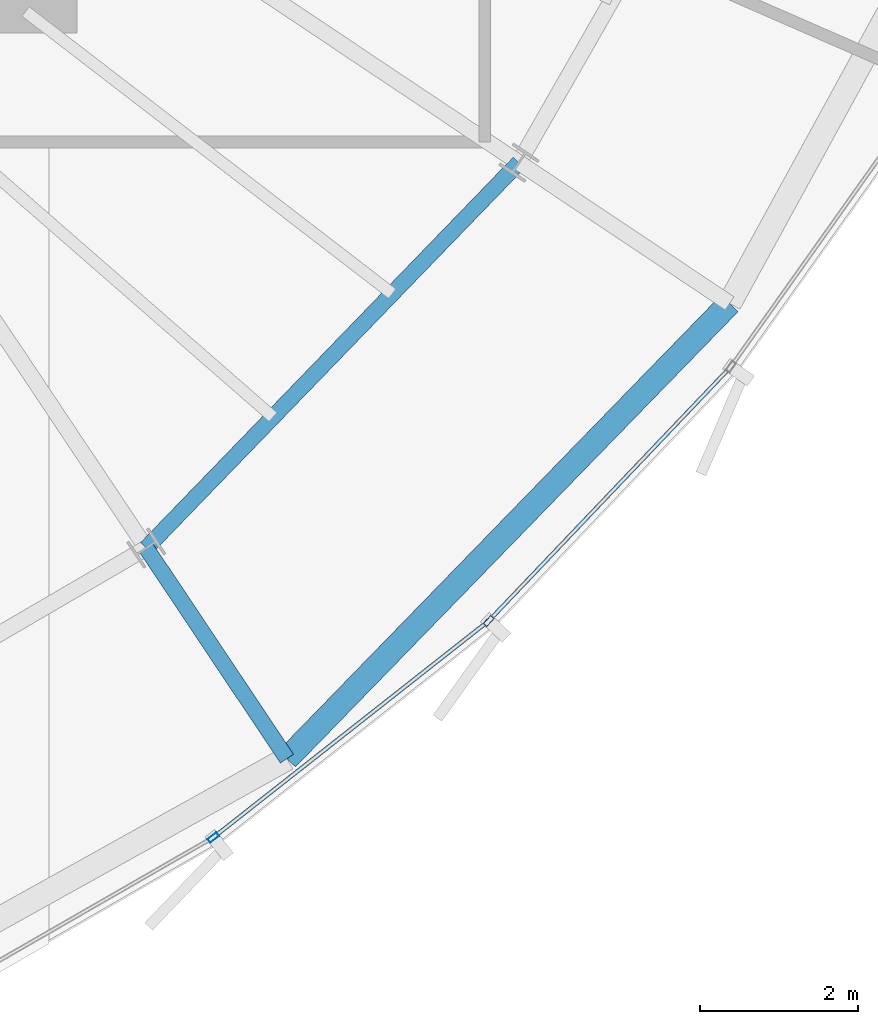
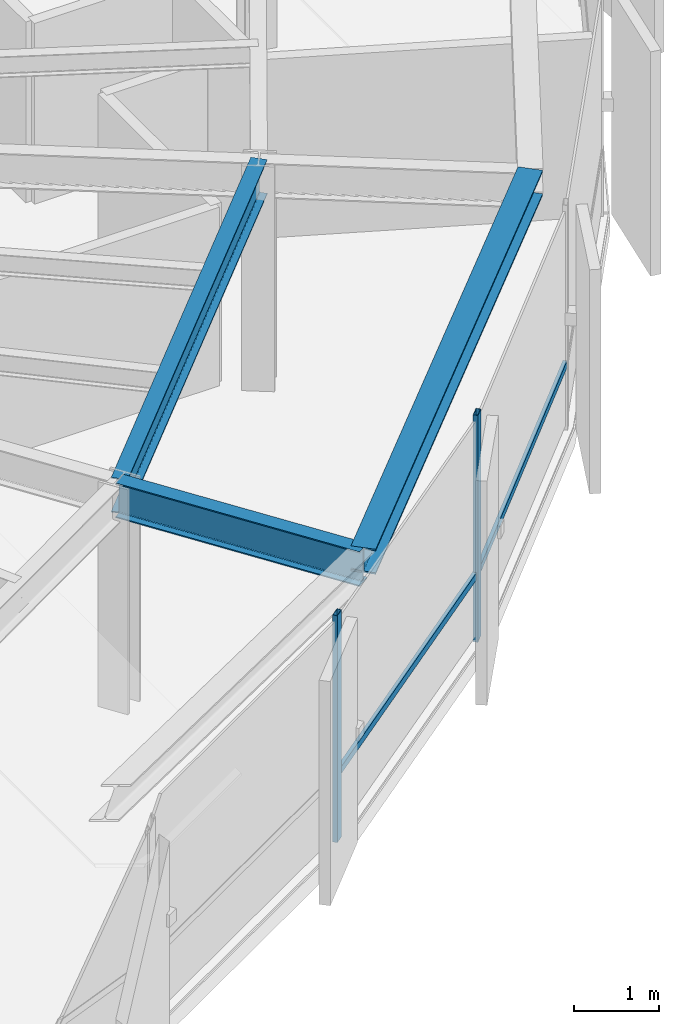
# One storey, part 12 of 35: 4 members, 3 beams, 1 element without a shape of its own.
"""IFC4 building model written with IfcOpenShell, lengths in metres."""

from ifc_helpers import new_model, si_unit, direction, frame, origin, origin_2d, place, context, subcontext, project, spatial, hollow_rectangle, i_section, extrude, source, transform, mapped, material, layer, layer_set, material_profile, profile_set, type_object, element, aggregate, save


model = new_model("IFC4")

# Units and contexts
model_context = context("Model", 3, precision=1e-05, world=origin(), true_north=direction((0.0, 1.0)))
body_context = subcontext(model_context, "Body", "Model", "MODEL_VIEW")
ifc_project = project(units=[si_unit("LENGTHUNIT", "METRE"), si_unit("AREAUNIT", "SQUARE_METRE"), si_unit("VOLUMEUNIT", "CUBIC_METRE"), si_unit("PLANEANGLEUNIT", "RADIAN"), si_unit("MASSUNIT", "GRAM", prefix="KILO"), si_unit("THERMODYNAMICTEMPERATUREUNIT", "KELVIN")], contexts=[model_context])

# Site, building, storey
site_placement = place(None, origin())
site = spatial("IfcSite", under=ifc_project, at=site_placement, CompositionType="ELEMENT")
building_placement = place(site_placement, origin())
building = spatial("IfcBuilding", under=site, at=building_placement, Name="Kethvar Cultural Tower", CompositionType="ELEMENT")
storey_placement = place(building_placement, frame((0.0, 0.0, 204.39990234375)))
storey = spatial("IfcBuildingStorey", under=building, at=storey_placement, Name="L53", CompositionType="ELEMENT", Elevation=204.39990234375)

# Beams
ifc_material_1 = material(Name="Steel S355J2", Category="steel")
ifc_material_profile_1 = material_profile(ifc_material_1, i_section(OverallWidth=0.199951171875, OverallDepth=0.5, WebThickness=0.01025390625, FlangeThickness=0.01611328125, FilletRadius=0.02099609375, at=origin_2d()), Name="Steel S355J2 — IPE500")
ifc_profile_set_1 = profile_set([ifc_material_profile_1], Name="Steel S355J2 — IPE500")
beam_type_1 = type_object("IfcBeamType", Name="BM-IPE500", PredefinedType="BEAM", material=ifc_profile_set_1)
shared_shape_1 = source(origin(), body_context, "Body", "SweptSolid", [
    extrude(i_section(OverallWidth=0.199951171875, OverallDepth=0.5, WebThickness=0.01025390625, FlangeThickness=0.01611328125, FilletRadius=0.02099609375, at=origin_2d()), origin(), (0.0, 0.0, 1.0), 3.199951171875),
])
beam_1_placement = place(storey_placement, frame((56.474609375, 13.32080078125, 3.008056640625), z_axis=(0.555580212716, -0.831462943996, 0.0), x_axis=(0.831462943996, 0.555580212716, 0.0)))
element("IfcBeam", 1, at=beam_1_placement, inside=storey, type_object=beam_type_1, Name="L53 Perimeter Cantilever Beam RC-14", PredefinedType="BEAM", context=body_context, shape_type="MappedRepresentation", body=[
    mapped(shared_shape_1, transform((0.0, 0.0, 0.0), scale=1.0)),
])
shared_shape_2 = source(origin(), body_context, "Body", "SweptSolid", [
    extrude(i_section(OverallWidth=0.199951171875, OverallDepth=0.5, WebThickness=0.01025390625, FlangeThickness=0.01611328125, FilletRadius=0.02099609375, at=origin_2d()), origin(), (0.0, 0.0, 1.0), 6.77294921875),
])
beam_2_placement = place(storey_placement, frame((56.474609375, 13.32080078125, 3.008056640625), z_axis=(0.695111533644, 0.718901909717, 0.0), x_axis=(-0.718901909717, 0.695111533644, 0.0)))
element("IfcBeam", 2, at=beam_2_placement, inside=storey, type_object=beam_type_1, Name="L53 Column Ring Tie Beam CR-14", PredefinedType="BEAM", context=body_context, shape_type="MappedRepresentation", body=[
    mapped(shared_shape_2, transform((0.0, 0.0, 0.0), scale=1.0)),
])
ifc_material_profile_2 = material_profile(ifc_material_1, i_section(OverallWidth=0.300048828125, OverallDepth=0.360107421875, WebThickness=0.012451171875, FlangeThickness=0.0224609375, FilletRadius=0.027099609375, at=origin_2d()), Name="Steel S355J2 — HEB360")
ifc_profile_set_2 = profile_set([ifc_material_profile_2], Name="Steel S355J2 — HEB360")
beam_type_2 = type_object("IfcBeamType", Name="BM-SP360", PredefinedType="SPANDREL", material=ifc_profile_set_2)
shared_shape_3 = source(origin(), body_context, "Body", "SweptSolid", [
    extrude(i_section(OverallWidth=0.300048828125, OverallDepth=0.360107421875, WebThickness=0.012451171875, FlangeThickness=0.0224609375, FilletRadius=0.027099609375, at=origin_2d()), origin(), (0.0, 0.0, 1.0), 8.021240234375),
])
beam_3_placement = place(storey_placement, frame((58.25244140625, 10.66015625, 3.078125), z_axis=(0.696991461782, 0.71707942531, 0.0), x_axis=(-0.71707942531, 0.696991461782, 0.0)))
element("IfcBeam", 3, at=beam_3_placement, inside=storey, type_object=beam_type_2, Name="L53 Perimeter Spandrel Beam SP-14", PredefinedType="SPANDREL", context=body_context, shape_type="MappedRepresentation", body=[
    mapped(shared_shape_3, transform((0.0, 0.0, 0.0), scale=1.0)),
])

# Curtain wall, members
ifc_material_2 = material(Name="Aluminium 6063-T6", Category="aluminium")
ifc_layer = layer(ifc_material_2, 0.179931640625, Name="Aluminium 6063-T6", Category="aluminium")
ifc_layer_set = layer_set([ifc_layer], Name="Aluminium 6063-T6 (180 mm)")
curtain_wall_type = type_object("IfcCurtainWallType", Name="CW-SYS-04-Z34", PredefinedType="NOTDEFINED", material=ifc_layer_set)
curtain_wall_placement = place(storey_placement, origin())
curtain_wall = element("IfcCurtainWall", 4, at=curtain_wall_placement, inside=storey, type_object=curtain_wall_type, Name="L53 Curtain Wall Run 05", PredefinedType="NOTDEFINED")
ifc_material_profile_3 = material_profile(ifc_material_2, hollow_rectangle(XDim=0.06005859375, YDim=0.139892578125, WallThickness=0.0048828125, at=origin_2d()), Name="Aluminium 6063-T6 — RHS140x60x5")
ifc_profile_set_3 = profile_set([ifc_material_profile_3], Name="Aluminium 6063-T6 — RHS140x60x5")
member_type_1 = type_object("IfcMemberType", Name="CW-SYS-04-Z34-MUL", PredefinedType="MULLION", material=ifc_profile_set_3)
shared_shape_4 = source(origin(), body_context, "Body", "SweptSolid", [
    extrude(hollow_rectangle(XDim=0.06005859375, YDim=0.139892578125, WallThickness=0.0048828125, at=origin_2d()), origin(), (0.0, 0.0, 1.0), 3.260009765625),
])
member_1_placement = place(storey_placement, frame((57.3212890625, 9.663818359375, 0.0), z_axis=(0.0, 0.0, 1.0), x_axis=(-0.618367247139, 0.785889271886, 0.0)))
member_1 = element("IfcMember", 5, at=member_1_placement, type_object=member_type_1, Name="CW-L53-R05 Mullion 3", PredefinedType="MULLION", context=body_context, shape_type="MappedRepresentation", body=[
    mapped(shared_shape_4, transform((0.0, 0.0, 0.0), scale=1.0)),
])
member_2_placement = place(storey_placement, frame((60.801513671875, 12.40087890625, 0.0), z_axis=(0.0, 0.0, 1.0), x_axis=(-0.724147788733, 0.689644821682, 0.0)))
member_2 = element("IfcMember", 6, at=member_2_placement, type_object=member_type_1, Name="CW-L53-R05 Mullion 4", PredefinedType="MULLION", context=body_context, shape_type="MappedRepresentation", body=[
    mapped(shared_shape_4, transform((0.0, 0.0, 0.0), scale=1.0)),
])
ifc_material_profile_4 = material_profile(ifc_material_2, hollow_rectangle(XDim=0.050048828125, YDim=0.10009765625, WallThickness=0.00390625, at=origin_2d()), Name="Aluminium 6063-T6 — RHS100x50x4")
ifc_profile_set_4 = profile_set([ifc_material_profile_4], Name="Aluminium 6063-T6 — RHS100x50x4")
member_type_2 = type_object("IfcMemberType", Name="CW-SYS-04-Z34-TRN", PredefinedType="USERDEFINED", material=ifc_profile_set_4)
shared_shape_5 = source(origin(), body_context, "Body", "SweptSolid", [
    extrude(hollow_rectangle(XDim=0.050048828125, YDim=0.10009765625, WallThickness=0.00390625, at=origin_2d()), origin(), (0.0, 0.0, 1.0), 4.36181640625),
])
member_3_placement = place(storey_placement, frame((60.831298828125, 12.43212890625, 0.9501953125), z_axis=(0.689628616956, 0.724163221019, 0.0), x_axis=(-0.724163221019, 0.689628616956, 0.0)))
member_3 = element("IfcMember", 7, at=member_3_placement, type_object=member_type_2, Name="CW-L53-R05 Transom 4", ObjectType="TRANSOM", PredefinedType="USERDEFINED", context=body_context, shape_type="MappedRepresentation", body=[
    mapped(shared_shape_5, transform((0.0, 0.0, 0.0), scale=1.0)),
])
shared_shape_6 = source(origin(), body_context, "Body", "SweptSolid", [
    extrude(hollow_rectangle(XDim=0.050048828125, YDim=0.10009765625, WallThickness=0.00390625, at=origin_2d()), origin(), (0.0, 0.0, 1.0), 4.35693359375),
])
member_4_placement = place(storey_placement, frame((57.35498046875, 9.690673828125, 0.9501953125), z_axis=(0.785900100979, 0.618353484086, 0.0), x_axis=(-0.618353484086, 0.785900100979, 0.0)))
member_4 = element("IfcMember", 8, at=member_4_placement, type_object=member_type_2, Name="CW-L53-R05 Transom 3", ObjectType="TRANSOM", PredefinedType="USERDEFINED", context=body_context, shape_type="MappedRepresentation", body=[
    mapped(shared_shape_6, transform((0.0, 0.0, 0.0), scale=1.0)),
])
aggregate(curtain_wall, [member_1, member_2, member_4, member_3])

save(model, "model.ifc")
